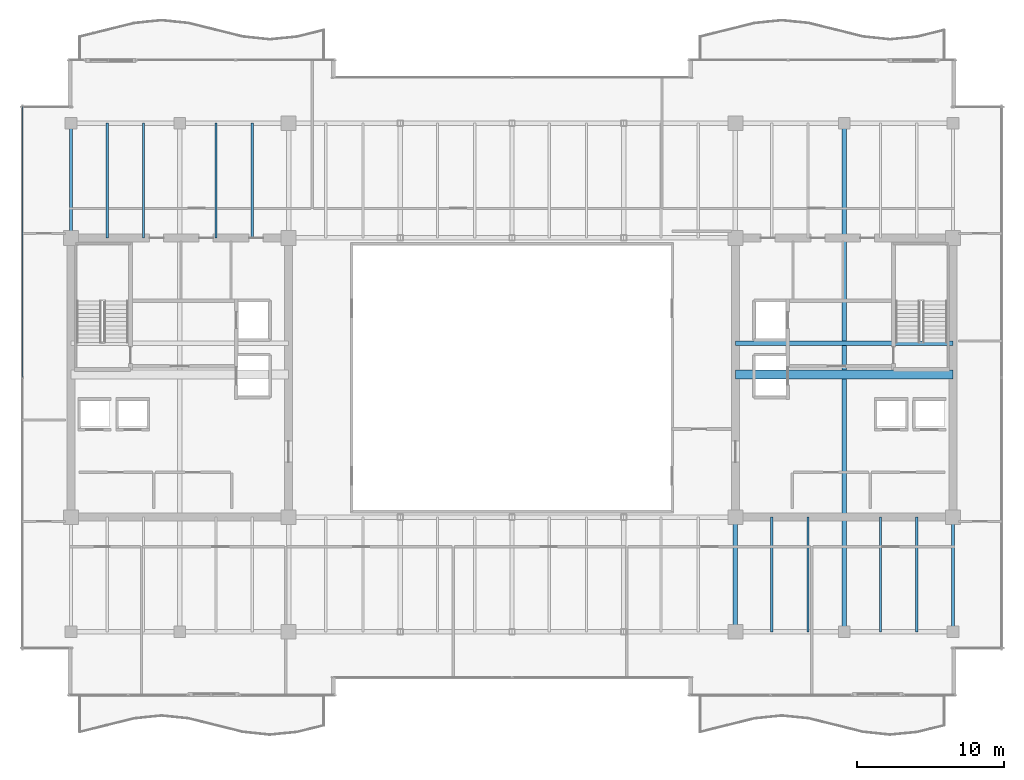
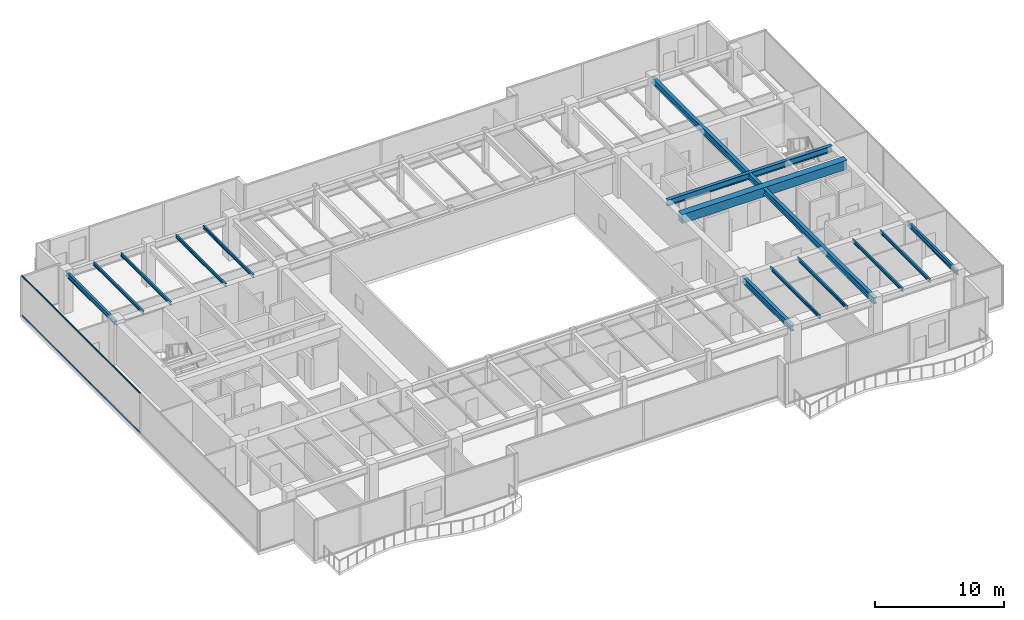
# One storey, part 13 of 34: 14 beams, 2 members, 1 element without a shape of its own.
"""IFC4 building model written with IfcOpenShell, lengths in metres."""

from ifc_helpers import new_model, si_unit, direction, frame, origin, origin_2d, place, context, subcontext, project, spatial, rectangle, hollow_rectangle, i_section, extrude, source, transform, mapped, material, layer, layer_set, material_profile, profile_set, type_object, type_shapes, element, aggregate, save


model = new_model("IFC4")

# Units and contexts
model_context = context("Model", 3, precision=1e-05, world=origin(), true_north=direction((0.0, 1.0)))
body_context = subcontext(model_context, "Body", "Model", "MODEL_VIEW")
ifc_project = project(units=[si_unit("LENGTHUNIT", "METRE"), si_unit("AREAUNIT", "SQUARE_METRE"), si_unit("VOLUMEUNIT", "CUBIC_METRE"), si_unit("PLANEANGLEUNIT", "RADIAN"), si_unit("MASSUNIT", "GRAM", prefix="KILO")], contexts=[model_context])

# Site, building, storey
site_placement = place(None, origin())
site = spatial("IfcSite", under=ifc_project, at=site_placement, CompositionType="ELEMENT")
building_placement = place(site_placement, origin())
building = spatial("IfcBuilding", under=site, at=building_placement, Name="Haelvirn Gate Laboratories", CompositionType="ELEMENT")
storey_placement = place(building_placement, frame((0.0, 0.0, 205.5)))
storey = spatial("IfcBuildingStorey", under=building, at=storey_placement, Name="L49", CompositionType="ELEMENT", Elevation=205.5)

# Beams
ifc_material_1 = material(Name="Steel SM355", Category="steel")
ifc_material_profile_1 = material_profile(ifc_material_1, i_section(OverallWidth=0.300048828125, OverallDepth=0.587890625, WebThickness=0.011962890625, FlangeThickness=0.02001953125, at=origin_2d()), Name="H-588x300x12x20")
ifc_profile_set_1 = profile_set([ifc_material_profile_1], Name="Steel SM355")
beam_type_1 = type_object("IfcBeamType", Name="BM-G-588", PredefinedType="BEAM", material=ifc_profile_set_1)
shared_shape_1 = source(origin(), body_context, "Body", "SweptSolid", [
    extrude(i_section(OverallWidth=0.300048828125, OverallDepth=0.587890625, WebThickness=0.011962890625, FlangeThickness=0.02001953125, at=origin_2d()), origin(), (0.0, 0.0, 1.0), 14.7998046875),
])
beam_1_placement = place(storey_placement, frame((52.60009765625, 26.6201171875, 3.506103515625), z_axis=(1.0, 0.0, 0.0), x_axis=(0.0, 1.0, 0.0)))
element("IfcBeam", 1, at=beam_1_placement, inside=storey, type_object=beam_type_1, Name="L49 Stair ST2 Landing Header", PredefinedType="BEAM", context=body_context, shape_type="MappedRepresentation", body=[
    mapped(shared_shape_1, transform((0.0, 0.0, 0.0), scale=1.0)),
])
ifc_material_profile_2 = material_profile(ifc_material_1, i_section(OverallWidth=0.14990234375, OverallDepth=0.300048828125, WebThickness=0.006591796875, FlangeThickness=0.009033203125, at=origin_2d()), Name="H-300x150x6.5x9")
ifc_profile_set_2 = profile_set([ifc_material_profile_2], Name="Steel SM355")
beam_type_2 = type_object("IfcBeamType", Name="BM-J-300", PredefinedType="JOIST", material=ifc_profile_set_2)
shared_shape_2 = source(origin(), body_context, "Body", "SweptSolid", [
    extrude(i_section(OverallWidth=0.14990234375, OverallDepth=0.300048828125, WebThickness=0.006591796875, FlangeThickness=0.009033203125, at=origin_2d()), origin(), (0.0, 0.0, 1.0), 7.800048828125),
])
type_shapes(beam_type_2, [shared_shape_2])
for number, where, z_axis, x_axis, name in (
    (2, (9.8701171875, 33.800048828125, 3.64990234375), (0.0, 1.0, 0.0), (-1.0, 0.0, 0.0), "L49 Composite Lab Joist North X9.87"),
    (3, (12.330078125, 33.800048828125, 3.64990234375), (0.0, 1.0, 0.0), (-1.0, 0.0, 0.0), "L49 Composite Lab Joist North X12.33"),
    (4, (17.27001953125, 33.800048828125, 3.64990234375), (0.0, 1.0, 0.0), (-1.0, 0.0, 0.0), "L49 Composite Lab Joist North X17.27"),
    (5, (19.72998046875, 33.800048828125, 3.64990234375), (0.0, 1.0, 0.0), (-1.0, 0.0, 0.0), "L49 Composite Lab Joist North X19.73"),
    (6, (55.070068359375, 7.0, 3.64990234375), (0.0, 1.0, 0.0), (-1.0, 0.0, 0.0), "L49 Composite Lab Joist South X55.07"),
    (7, (57.530029296875, 7.0, 3.64990234375), (0.0, 1.0, 0.0), (-1.0, 0.0, 0.0), "L49 Composite Lab Joist South X57.53"),
    (8, (62.469970703125, 7.0, 3.64990234375), (0.0, 1.0, 0.0), (-1.0, 0.0, 0.0), "L49 Composite Lab Joist South X62.47"),
    (9, (64.929931640625, 7.0, 3.64990234375), (0.0, 1.0, 0.0), (-1.0, 0.0, 0.0), "L49 Composite Lab Joist South X64.93"),
):
    element("IfcBeam", number, at=place(storey_placement, frame(where, z_axis=z_axis, x_axis=x_axis)), inside=storey, type_object=beam_type_2, Name=name, PredefinedType="JOIST", context=body_context, shape_type="MappedRepresentation", body=[
        mapped(shared_shape_2, transform((0.0, 0.0, 0.0), scale=1.0)),
    ])
shared_shape_3 = source(origin(), body_context, "Body", "SweptSolid", [
    extrude(i_section(OverallWidth=0.300048828125, OverallDepth=0.587890625, WebThickness=0.011962890625, FlangeThickness=0.02001953125, at=origin_2d()), origin(), (0.0, 0.0, 1.0), 34.60009765625),
])
beam_2_placement = place(storey_placement, frame((60.0, 7.0, 3.506103515625), z_axis=(0.0, 1.0, 0.0), x_axis=(-1.0, 0.0, 0.0)))
element("IfcBeam", 10, at=beam_2_placement, inside=storey, type_object=beam_type_1, Name="L49 Frame Girder X60.0 (7.0-41.6)", PredefinedType="BEAM", context=body_context, shape_type="MappedRepresentation", body=[
    mapped(shared_shape_3, transform((0.0, 0.0, 0.0), scale=1.0)),
])
shared_shape_4 = source(origin(), body_context, "Body", "SweptSolid", [
    extrude(i_section(OverallWidth=0.300048828125, OverallDepth=0.587890625, WebThickness=0.011962890625, FlangeThickness=0.02001953125, at=origin_2d()), origin(), (0.0, 0.0, 1.0), 7.800048828125),
])
type_shapes(beam_type_1, [shared_shape_1, shared_shape_3, shared_shape_4])
beam_3_placement = place(storey_placement, frame((52.60009765625, 7.0, 3.506103515625), z_axis=(0.0, 1.0, 0.0), x_axis=(-1.0, 0.0, 0.0)))
element("IfcBeam", 11, at=beam_3_placement, inside=storey, type_object=beam_type_1, Name="L49 Frame Girder X52.6 (7.0-14.8)", PredefinedType="BEAM", context=body_context, shape_type="MappedRepresentation", body=[
    mapped(shared_shape_4, transform((0.0, 0.0, 0.0), scale=1.0)),
])
ifc_material_2 = material(Name="Concrete C50/60", Category="concrete")
ifc_material_profile_3 = material_profile(ifc_material_2, rectangle(XDim=0.60009765625, YDim=0.85009765625, at=origin_2d()), Name="RCB-600x850")
ifc_profile_set_3 = profile_set([ifc_material_profile_3], Name="Concrete C50/60")
beam_type_3 = type_object("IfcBeamType", Name="BM-RCB-850", PredefinedType="LINTEL", material=ifc_profile_set_3)
shared_shape_5 = source(origin(), body_context, "Body", "SweptSolid", [
    extrude(rectangle(XDim=0.60009765625, YDim=0.85009765625, at=origin_2d()), origin(), (0.0, 0.0, 1.0), 14.7998046875),
])
type_shapes(beam_type_3, [shared_shape_5])
beam_4_placement = place(storey_placement, frame((52.60009765625, 24.5, 3.375), z_axis=(1.0, 0.0, 0.0), x_axis=(0.0, 1.0, 0.0)))
element("IfcBeam", 12, at=beam_4_placement, inside=storey, type_object=beam_type_3, Name="L49 East Core Coupling Beam", PredefinedType="LINTEL", context=body_context, shape_type="MappedRepresentation", body=[
    mapped(shared_shape_5, transform((0.0, 0.0, 0.0), scale=1.0)),
])
ifc_material_profile_4 = material_profile(ifc_material_1, i_section(OverallWidth=0.199951171875, OverallDepth=0.449951171875, WebThickness=0.009033203125, FlangeThickness=0.013916015625, at=origin_2d()), Name="H-450x200x9x14")
ifc_profile_set_4 = profile_set([ifc_material_profile_4], Name="Steel SM355")
beam_type_4 = type_object("IfcBeamType", Name="BM-SP-450", PredefinedType="SPANDREL", material=ifc_profile_set_4)
shared_shape_6 = source(origin(), body_context, "Body", "SweptSolid", [
    extrude(i_section(OverallWidth=0.199951171875, OverallDepth=0.449951171875, WebThickness=0.009033203125, FlangeThickness=0.013916015625, at=origin_2d()), origin(), (0.0, 0.0, 1.0), 7.800048828125),
])
type_shapes(beam_type_4, [shared_shape_6])
for number, where, z_axis, x_axis, name in (
    (13, (7.39990234375, 33.800048828125, 3.574951171875), (0.0, 1.0, 0.0), (-1.0, 0.0, 0.0), "L49 Perimeter Spandrel X7.4 (33.8-41.6)"),
    (14, (67.39990234375, 7.0, 3.574951171875), (0.0, 1.0, 0.0), (-1.0, 0.0, 0.0), "L49 Perimeter Spandrel X67.4 (7.0-14.8)"),
):
    element("IfcBeam", number, at=place(storey_placement, frame(where, z_axis=z_axis, x_axis=x_axis)), inside=storey, type_object=beam_type_4, Name=name, PredefinedType="SPANDREL", context=body_context, shape_type="MappedRepresentation", body=[
        mapped(shared_shape_6, transform((0.0, 0.0, 0.0), scale=1.0)),
    ])

# Curtain wall, members
ifc_material_3 = material(Name="Anodised bronze unitised aluminium & triple low-E glass", Category="aluminium")
ifc_layer = layer(ifc_material_3, 0.176025390625, Name="CW-SYS-4")
ifc_layer_set = layer_set([ifc_layer], Name="Anodised bronze unitised aluminium & triple low-E glass")
curtain_wall_type = type_object("IfcCurtainWallType", Name="CW-SYS-4", PredefinedType="NOTDEFINED", material=ifc_layer_set)
curtain_wall_placement = place(storey_placement, origin())
curtain_wall = element("IfcCurtainWall", 15, at=curtain_wall_placement, inside=storey, type_object=curtain_wall_type, Name="L49 Unitised Curtain Wall CW-L49-P0-E17", PredefinedType="NOTDEFINED")
ifc_material_4 = material(Name="Extruded aluminium 6063-T6 (anodised bronze)", Category="aluminium")
ifc_material_profile_5 = material_profile(ifc_material_4, hollow_rectangle(XDim=0.06494140625, YDim=0.139892578125, WallThickness=0.00390625, at=origin_2d()), Name="CWT-140x65x4")
ifc_profile_set_5 = profile_set([ifc_material_profile_5], Name="Extruded aluminium 6063-T6 (anodised bronze)")
member_type = type_object("IfcMemberType", Name="CWT-T140", PredefinedType="USERDEFINED", material=ifc_profile_set_5)
shared_shape_7 = source(origin(), body_context, "Body", "SweptSolid", [
    extrude(hollow_rectangle(XDim=0.06494140625, YDim=0.139892578125, WallThickness=0.00390625, at=origin_2d()), origin(), (0.0, 0.0, 1.0), 18.39501953125),
])
type_shapes(member_type, [shared_shape_7])
member_1_placement = place(storey_placement, frame((4.10009765625, 42.72998046875, 0.032470703125), z_axis=(0.0, -1.0, 0.0), x_axis=(1.0, 0.0, 0.0)))
member_1 = element("IfcMember", 16, at=member_1_placement, type_object=member_type, Name="CW4 transom 1.1", ObjectType="TRANSOM", PredefinedType="USERDEFINED", context=body_context, shape_type="MappedRepresentation", body=[
    mapped(shared_shape_7, transform((0.0, 0.0, 0.0), scale=1.0)),
])
member_2_placement = place(storey_placement, frame((4.10009765625, 42.72998046875, 3.767578125), z_axis=(0.0, -1.0, 0.0), x_axis=(1.0, 0.0, 0.0)))
member_2 = element("IfcMember", 17, at=member_2_placement, type_object=member_type, Name="CW4 transom 1.2", ObjectType="TRANSOM", PredefinedType="USERDEFINED", context=body_context, shape_type="MappedRepresentation", body=[
    mapped(shared_shape_7, transform((0.0, 0.0, 0.0), scale=1.0)),
])
aggregate(curtain_wall, [member_1, member_2])

save(model, "model.ifc")
